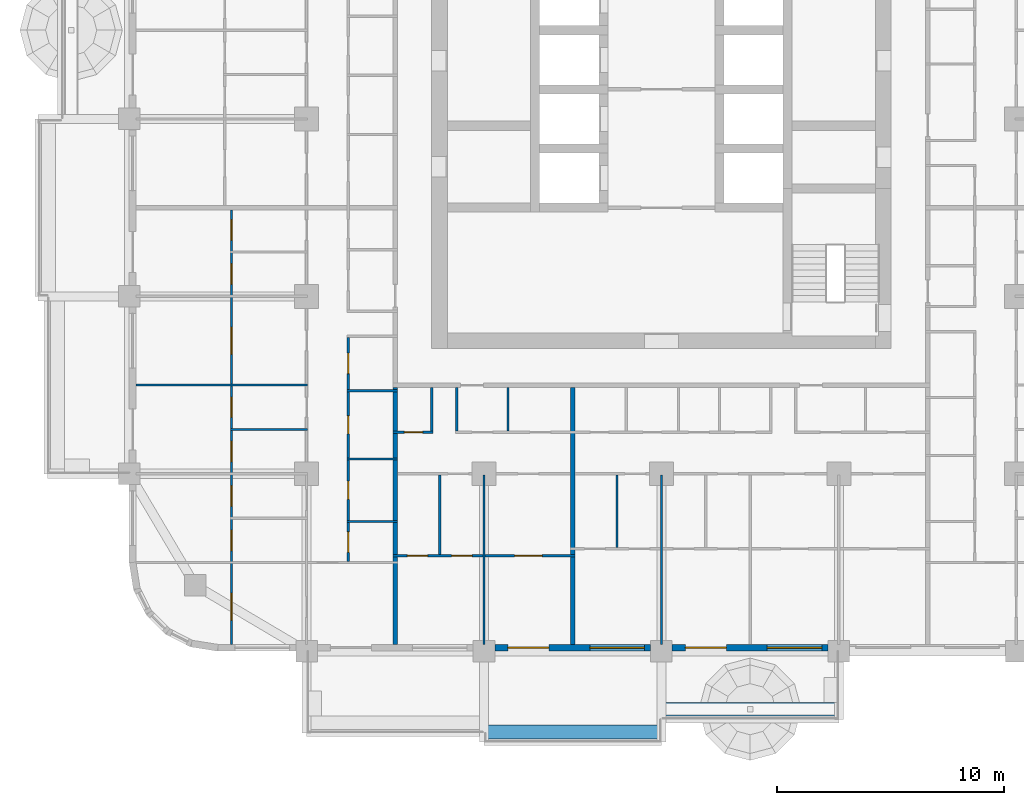
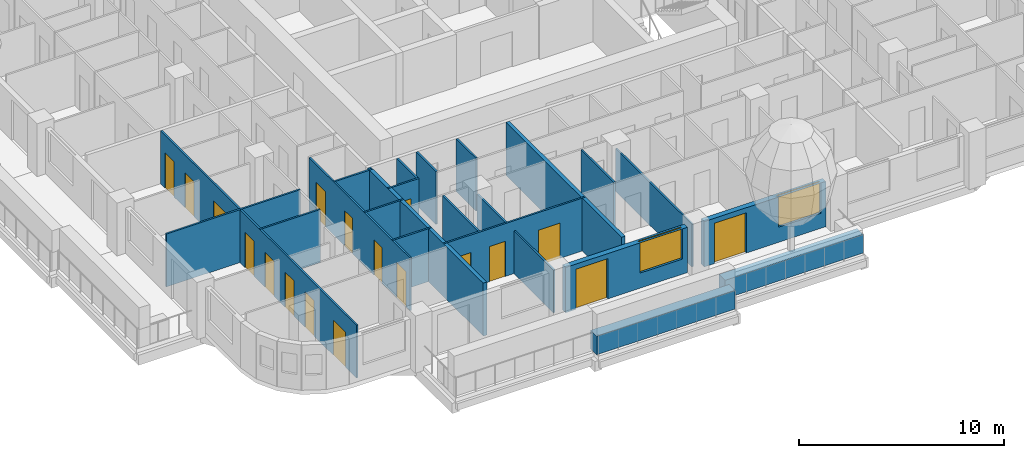
# One storey, part 3 of 18: 22 walls, 18 doors, 2 windows, 20 openings.
"""IFC4 building model written with IfcOpenShell, lengths in metres."""

import ifcopenshell
import ifcopenshell.guid

model = None  # the IFC model being written
_history = None  # IfcOwnerHistory: only IFC2X3 demands one
_inside = {}  # id of a spatial element -> (the spatial element, [elements in it])
_under = {}  # id of a project, library or spatial element -> (it, [spatial elements below it])
_declared = {}  # id of a project -> (the project, [libraries it declares])
_typed = {}  # id of a type object -> (the type object, [elements of that type])
_made_of = {}  # id of a material, layer set ... -> (it, [elements and type objects made of it])


def new_model(schema):
    """Start an empty IFC model of exactly this schema.

    Asked for "IFC4X3", IfcOpenShell would pick the latest addendum, in which some entities
    have other attributes; the version numbers below select the first issue.
    IFC2X3 requires an IfcOwnerHistory on every rooted entity: one is made here for all.
    """
    global model, _history
    if schema == "IFC4X3":
        model = ifcopenshell.file(schema_version=(4, 3, 0, 0))
    else:
        model = ifcopenshell.file(schema=schema)
    _inside.clear()
    _under.clear()
    _declared.clear()
    _typed.clear()
    _made_of.clear()
    _history = None
    if model.schema == "IFC2X3":
        org = make("IfcOrganization", Name="unknown")
        user = make(
            "IfcPersonAndOrganization",
            ThePerson=make("IfcPerson", FamilyName="unknown"),
            TheOrganization=org,
        )
        app = make(
            "IfcApplication",
            ApplicationDeveloper=org,
            Version="unknown",
            ApplicationFullName="unknown",
            ApplicationIdentifier="unknown",
        )
        _history = make(
            "IfcOwnerHistory",
            OwningUser=user,
            OwningApplication=app,
            ChangeAction="ADDED",
            CreationDate=0,
        )
    return model


def make(cls, **values):
    """One entity of the class cls with the attributes given. An attribute that is None is left unset."""
    return model.create_entity(
        cls, **{name: value for name, value in values.items() if value is not None}
    )


def rooted(cls, **values):
    """An entity with a GlobalId (a new one), such as an element, a storey or a relation."""
    return make(cls, GlobalId=ifcopenshell.guid.new(), OwnerHistory=_history, **values)


def si_unit(unit_type, name, prefix=None):
    """IfcSIUnit, for example si_unit("LENGTHUNIT", "METRE", prefix="MILLI")."""
    return make("IfcSIUnit", UnitType=unit_type, Prefix=prefix, Name=name)


def assignment(units):
    """IfcUnitAssignment: the units of a project."""
    return None if units is None else make("IfcUnitAssignment", Units=units)


def point(xyz):
    """IfcCartesianPoint."""
    return None if xyz is None else make("IfcCartesianPoint", Coordinates=xyz)


def direction(xyz):
    """IfcDirection."""
    return None if xyz is None else make("IfcDirection", DirectionRatios=xyz)


def frame(location, z_axis=None, x_axis=None):
    """IfcAxis2Placement3D, a coordinate frame: its origin and axes. An axis left out is left unset."""
    return make(
        "IfcAxis2Placement3D",
        Location=point(location),
        Axis=direction(z_axis),
        RefDirection=direction(x_axis),
    )


def frame_2d(location, x_axis=None):
    """IfcAxis2Placement2D, a coordinate frame in the plane: its origin and x axis."""
    return make(
        "IfcAxis2Placement2D", Location=point(location), RefDirection=direction(x_axis)
    )


def origin():
    """The frame at (0, 0, 0) with its axes left unset."""
    return frame((0.0, 0.0, 0.0))


def place(relative_to, where):
    """IfcLocalPlacement: puts the frame where relative to a parent placement (None: the world)."""
    return make(
        "IfcLocalPlacement", PlacementRelTo=relative_to, RelativePlacement=where
    )


def context(
    kind, dimensions, precision=None, world=None, true_north=None, identifier=None
):
    """IfcGeometricRepresentationContext, for example the 3D "Model" context."""
    return make(
        "IfcGeometricRepresentationContext",
        ContextIdentifier=identifier,
        ContextType=kind,
        CoordinateSpaceDimension=dimensions,
        Precision=precision,
        WorldCoordinateSystem=world,
        TrueNorth=true_north,
    )


def subcontext(parent, identifier, kind, view, scale=None):
    """IfcGeometricRepresentationSubContext, for example "Body" below "Model"."""
    return make(
        "IfcGeometricRepresentationSubContext",
        ContextIdentifier=identifier,
        ContextType=kind,
        ParentContext=parent,
        TargetScale=scale,
        TargetView=view,
    )


def project(units=None, contexts=None):
    """IfcProject with its units and contexts."""
    return rooted(
        "IfcProject",
        Name="project",
        RepresentationContexts=contexts,
        UnitsInContext=assignment(units),
    )


def spatial(cls, under=None, at=None, **own):
    """A site, building, storey or space (cls), placed at a placement, below another one or the project."""
    s = rooted(cls, ObjectPlacement=at, **own)
    if under is not None:
        _under.setdefault(under.id(), (under, []))[1].append(s)
    return s


def profile(cls, at=None, kind="AREA", **sizes):
    """A parametric profile (cls). Its sizes go by their IFC names, for example OverallWidth=200.0."""
    return make(cls, ProfileType=kind, Position=at, **sizes)


def rectangle(**sizes):
    """IfcRectangleProfileDef."""
    return profile("IfcRectangleProfileDef", **sizes)


def extrude(swept, where, along, depth):
    """IfcExtrudedAreaSolid: the profile swept, set in the frame where, extruded along a direction by depth."""
    return make(
        "IfcExtrudedAreaSolid",
        SweptArea=swept,
        Position=where,
        ExtrudedDirection=direction(along),
        Depth=depth,
    )


def shape(context_of_items, identifier, shape_type, items):
    """IfcShapeRepresentation: the items that make up one representation, for example the "Body"."""
    return make(
        "IfcShapeRepresentation",
        ContextOfItems=context_of_items,
        RepresentationIdentifier=identifier,
        RepresentationType=shape_type,
        Items=items,
    )


def material(Name=None, Category=None):
    """IfcMaterial."""
    return make("IfcMaterial", Name=Name, Category=Category)


def layer(
    of_material, thickness, ventilated=None, Name=None, Category=None, Priority=None
):
    """IfcMaterialLayer: one layer of a wall or slab, of a material (None: an air gap)."""
    return make(
        "IfcMaterialLayer",
        Material=of_material,
        LayerThickness=thickness,
        IsVentilated=ventilated,
        Name=Name,
        Category=Category,
        Priority=Priority,
    )


def layer_set(layers, Name=None):
    """IfcMaterialLayerSet."""
    return make("IfcMaterialLayerSet", MaterialLayers=layers, LayerSetName=Name)


def made_of(thing, what):
    """Note that an element or type object is made of a material, layer set ...; save() writes the relation."""
    if what is not None:
        _made_of.setdefault(what.id(), (what, []))[1].append(thing)
    return thing


def type_object(cls, material=None, **own):
    """A type object (cls), such as IfcWallType, which elements share."""
    return made_of(rooted(cls, **own), material)


def element(
    cls,
    number,
    at=None,
    inside=None,
    cuts=None,
    type_object=None,
    material=None,
    context=None,
    identifier="Body",
    shape_type=None,
    held_by="IfcProductDefinitionShape",
    body=None,
    shapes=None,
    **own,
):
    """One element of the class cls, such as IfcWall. Its Tag is "e" and its number.

    at: its placement. inside: the storey or other place that contains it. cuts: it is an
    opening in that element (IfcRelVoidsElement). A single representation is given by context,
    identifier, shape_type and body (its items); several are given by shapes. held_by: the class
    of the entity that holds the representations. save() writes the other relations.
    """
    e = rooted(cls, Tag="e%d" % number, ObjectPlacement=at, **own)
    if body is not None:
        shapes = [shape(context, identifier, shape_type, body)]
    if shapes is not None:
        e.Representation = make(held_by, Representations=shapes)
    if inside is not None:
        _inside.setdefault(inside.id(), (inside, []))[1].append(e)
    if cuts is not None:
        rooted(
            "IfcRelVoidsElement", RelatingBuildingElement=cuts, RelatedOpeningElement=e
        )
    if type_object is not None:
        _typed.setdefault(type_object.id(), (type_object, []))[1].append(e)
    return made_of(e, material)


def fill(opening, filler):
    """IfcRelFillsElement: the door or window that sits in an opening."""
    return rooted(
        "IfcRelFillsElement",
        RelatingOpeningElement=opening,
        RelatedBuildingElement=filler,
    )


def aggregate(whole, parts):
    """IfcRelAggregates: a whole, such as a stair, and the parts it consists of."""
    return rooted("IfcRelAggregates", RelatingObject=whole, RelatedObjects=parts)


def save(model, path):
    """Write the relations noted so far, then the file.

    IfcRelAggregates (storeys below a building ...), IfcRelContainedInSpatialStructure (elements
    in a storey), IfcRelDefinesByType, IfcRelAssociatesMaterial and IfcRelDeclares: one each for
    every whole, place, type object, material and project.
    """
    for whole, parts in _under.values():
        aggregate(whole, parts)
    for where, things in _inside.values():
        rooted(
            "IfcRelContainedInSpatialStructure",
            RelatedElements=things,
            RelatingStructure=where,
        )
    for kind, things in _typed.values():
        rooted("IfcRelDefinesByType", RelatedObjects=things, RelatingType=kind)
    for what, things in _made_of.values():
        rooted("IfcRelAssociatesMaterial", RelatedObjects=things, RelatingMaterial=what)
    for by, libraries in _declared.values():
        rooted("IfcRelDeclares", RelatingContext=by, RelatedDefinitions=libraries)
    model.write(path)


model = new_model("IFC4")

# Units and contexts
model_context = context("Model", 3, precision=1e-05, world=origin(), true_north=direction((0.0, 1.0)))
body_context = subcontext(model_context, "Body", "Model", "MODEL_VIEW")
ifc_project = project(units=[si_unit("LENGTHUNIT", "METRE"), si_unit("AREAUNIT", "SQUARE_METRE"), si_unit("VOLUMEUNIT", "CUBIC_METRE"), si_unit("PLANEANGLEUNIT", "RADIAN"), si_unit("MASSUNIT", "GRAM", prefix="KILO")], contexts=[model_context])

# Site, building, storey
site_placement = place(None, origin())
site = spatial("IfcSite", under=ifc_project, at=site_placement, CompositionType="ELEMENT")
building_placement = place(site_placement, origin())
building = spatial("IfcBuilding", under=site, at=building_placement, Name="Ludao Terraces", CompositionType="ELEMENT")
storey_placement = place(building_placement, frame((0.0, 0.0, 58.0)))
storey = spatial("IfcBuildingStorey", under=building, at=storey_placement, Name="L15", CompositionType="ELEMENT", Elevation=58.0)

# Walls
ifc_material_1 = material(Name="Concrete C40", Category="concrete")
ifc_layer_1 = layer(ifc_material_1, 0.60009765625)
ifc_layer_set_1 = layer_set([ifc_layer_1], Name="ENV Planter trough 600")
wall_type_1 = type_object("IfcWallType", Name="ENV Planter trough 600", PredefinedType="USERDEFINED", material=ifc_layer_set_1)
for number, where, z_axis, x_axis, name in (
    (1, (77.199951171875, 38.050048828125, 0.0), (0.0, 0.0, 1.0), (1.0, 0.0, 0.0), "PL-L15-S2"),
    (2, (85.0, 39.050048828125, 0.0), (0.0, 0.0, 1.0), (1.0, 0.0, 0.0), "PL-L15-S3"),
):
    element("IfcWall", number, at=place(storey_placement, frame(where, z_axis=z_axis, x_axis=x_axis)), inside=storey, type_object=wall_type_1, Name=name, ObjectType="PLANTER", PredefinedType="USERDEFINED", context=body_context, shape_type="SweptSolid", body=[
        extrude(rectangle(XDim=7.800048828125, YDim=0.60009765625, at=frame_2d((3.89990234375, 0.0))), origin(), (0.0, 0.0, 1.0), 1.10009765625),
    ])

# Wall, openings, door, window
ifc_material_2 = material(Name="Granite cladding", Category="masonry")
ifc_layer_2 = layer(ifc_material_2, 0.0400390625, Category="stone")
ifc_material_3 = material(Name="Mineral wool")
ifc_layer_3 = layer(ifc_material_3, 0.06005859375)
ifc_layer_4 = layer(ifc_material_1, 0.199951171875, Category="concrete")
ifc_layer_set_2 = layer_set([ifc_layer_2, ifc_layer_3, ifc_layer_4], Name="ENV Stone-clad wall 300")
wall_type_2 = type_object("IfcWallType", Name="ENV Stone-clad wall 300", PredefinedType="SOLIDWALL", material=ifc_layer_set_2)
wall_1_placement = place(storey_placement, frame((77.675048828125, 41.75, 0.0), z_axis=(0.0, 0.0, 1.0), x_axis=(1.0, 0.0, 0.0)))
wall_1 = element("IfcWall", 3, at=wall_1_placement, inside=storey, type_object=wall_type_2, Name="EW-L15-S3", PredefinedType="SOLIDWALL", context=body_context, shape_type="SweptSolid", body=[
    extrude(rectangle(XDim=6.849853515625, YDim=0.300048828125, at=frame_2d((3.4248046875, 0.0))), origin(), (0.0, 0.0, 1.0), 2.699951171875),
])
opening_1_placement = place(wall_1_placement, frame((0.574951171875, 0.0, 0.0)))
opening_1 = element("IfcOpeningElement", 4, at=opening_1_placement, cuts=wall_1, Name="Opening BD", PredefinedType="OPENING", context=body_context, shape_type="SweptSolid", body=[
    extrude(rectangle(XDim=1.800048828125, YDim=2.39990234375, at=frame_2d((0.89990234375, 1.199951171875))), frame((0.0, 0.16015625, 0.0), z_axis=(0.0, -1.0, 0.0), x_axis=(1.0, 0.0, 0.0)), (0.0, 0.0, 1.0), 0.320068359375),
])
opening_2_placement = place(wall_1_placement, frame((4.175048828125, 0.0, 0.89990234375)))
opening_2 = element("IfcOpeningElement", 5, at=opening_2_placement, cuts=wall_1, Name="Opening W1", PredefinedType="OPENING", context=body_context, shape_type="SweptSolid", body=[
    extrude(rectangle(XDim=2.39990234375, YDim=1.800048828125, at=frame_2d((1.199951171875, 0.89990234375))), frame((0.0, 0.16015625, 0.0), z_axis=(0.0, -1.0, 0.0), x_axis=(1.0, 0.0, 0.0)), (0.0, 0.0, 1.0), 0.320068359375),
])
ifc_material_4 = material(Name="Aluminium glazed door", Category="aluminium")
ifc_layer_5 = layer(ifc_material_4, 0.06005859375)
ifc_layer_set_3 = layer_set([ifc_layer_5], Name="ENV Balcony door BD 1800x2400")
door_type_1 = type_object("IfcDoorType", Name="ENV Balcony door BD 1800x2400", OperationType="DOUBLE_DOOR_SINGLE_SWING", PredefinedType="DOOR", material=ifc_layer_set_3)
door_1_placement = place(opening_1_placement, origin())
door_1 = element("IfcDoor", 6, at=door_1_placement, inside=storey, type_object=door_type_1, Name="BD-L15-S3-1", OperationType="DOUBLE_DOOR_SINGLE_SWING", OverallHeight=2.39990234375, OverallWidth=1.800048828125, PredefinedType="DOOR", context=body_context, shape_type="SweptSolid", body=[
    extrude(rectangle(XDim=1.800048828125, YDim=2.39990234375, at=frame_2d((0.89990234375, 1.199951171875))), frame((0.0, 0.02490234375, 0.0), z_axis=(0.0, -1.0, 0.0), x_axis=(1.0, 0.0, 0.0)), (0.0, 0.0, 1.0), 0.050048828125),
])
fill(opening_1, door_1)
ifc_material_5 = material(Name="Clear glass in aluminium frame", Category="aluminium")
ifc_layer_6 = layer(ifc_material_5, 0.06005859375)
ifc_layer_set_4 = layer_set([ifc_layer_6], Name="ENV Window W1 2400x1800")
window_type = type_object("IfcWindowType", Name="ENV Window W1 2400x1800", PartitioningType="DOUBLE_PANEL_VERTICAL", PredefinedType="WINDOW", material=ifc_layer_set_4)
window_1_placement = place(opening_2_placement, origin())
window_1 = element("IfcWindow", 7, at=window_1_placement, inside=storey, type_object=window_type, Name="W-L15-S3-2", OverallHeight=1.800048828125, OverallWidth=2.39990234375, PartitioningType="DOUBLE_PANEL_VERTICAL", PredefinedType="WINDOW", context=body_context, shape_type="SweptSolid", body=[
    extrude(rectangle(XDim=2.39990234375, YDim=1.800048828125, at=frame_2d((1.199951171875, 0.89990234375))), frame((0.0, 0.030029296875, 0.0), z_axis=(0.0, -1.0, 0.0), x_axis=(1.0, 0.0, 0.0)), (0.0, 0.0, 1.0), 0.06005859375),
])
fill(opening_2, window_1)

wall_2_placement = place(storey_placement, frame((85.47509765625, 41.75, 0.0), z_axis=(0.0, 0.0, 1.0), x_axis=(1.0, 0.0, 0.0)))
wall_2 = element("IfcWall", 8, at=wall_2_placement, inside=storey, type_object=wall_type_2, Name="EW-L15-S4", PredefinedType="SOLIDWALL", context=body_context, shape_type="SweptSolid", body=[
    extrude(rectangle(XDim=6.849853515625, YDim=0.300048828125, at=frame_2d((3.4248046875, 0.0))), origin(), (0.0, 0.0, 1.0), 2.699951171875),
])
opening_3_placement = place(wall_2_placement, frame((0.574951171875, 0.0, 0.0)))
opening_3 = element("IfcOpeningElement", 9, at=opening_3_placement, cuts=wall_2, Name="Opening BD", PredefinedType="OPENING", context=body_context, shape_type="SweptSolid", body=[
    extrude(rectangle(XDim=1.800048828125, YDim=2.39990234375, at=frame_2d((0.89990234375, 1.199951171875))), frame((0.0, 0.16015625, 0.0), z_axis=(0.0, -1.0, 0.0), x_axis=(1.0, 0.0, 0.0)), (0.0, 0.0, 1.0), 0.320068359375),
])
opening_4_placement = place(wall_2_placement, frame((4.175048828125, 0.0, 0.89990234375)))
opening_4 = element("IfcOpeningElement", 10, at=opening_4_placement, cuts=wall_2, Name="Opening W1", PredefinedType="OPENING", context=body_context, shape_type="SweptSolid", body=[
    extrude(rectangle(XDim=2.39990234375, YDim=1.800048828125, at=frame_2d((1.199951171875, 0.89990234375))), frame((0.0, 0.16015625, 0.0), z_axis=(0.0, -1.0, 0.0), x_axis=(1.0, 0.0, 0.0)), (0.0, 0.0, 1.0), 0.320068359375),
])
door_2_placement = place(opening_3_placement, origin())
door_2 = element("IfcDoor", 11, at=door_2_placement, inside=storey, type_object=door_type_1, Name="BD-L15-S4-1", OperationType="DOUBLE_DOOR_SINGLE_SWING", OverallHeight=2.39990234375, OverallWidth=1.800048828125, PredefinedType="DOOR", context=body_context, shape_type="SweptSolid", body=[
    extrude(rectangle(XDim=1.800048828125, YDim=2.39990234375, at=frame_2d((0.89990234375, 1.199951171875))), frame((0.0, 0.02490234375, 0.0), z_axis=(0.0, -1.0, 0.0), x_axis=(1.0, 0.0, 0.0)), (0.0, 0.0, 1.0), 0.050048828125),
])
fill(opening_3, door_2)
window_2_placement = place(opening_4_placement, origin())
window_2 = element("IfcWindow", 12, at=window_2_placement, inside=storey, type_object=window_type, Name="W-L15-S4-2", OverallHeight=1.800048828125, OverallWidth=2.39990234375, PartitioningType="DOUBLE_PANEL_VERTICAL", PredefinedType="WINDOW", context=body_context, shape_type="SweptSolid", body=[
    extrude(rectangle(XDim=2.39990234375, YDim=1.800048828125, at=frame_2d((1.199951171875, 0.89990234375))), frame((0.0, 0.030029296875, 0.0), z_axis=(0.0, -1.0, 0.0), x_axis=(1.0, 0.0, 0.0)), (0.0, 0.0, 1.0), 0.06005859375),
])
fill(opening_4, window_2)

# Wall, openings, doors
ifc_material_6 = material(Name="Gypsum plasterboard", Category="gypsum")
ifc_layer_7 = layer(ifc_material_6, 0.012451171875, Category="gypsum")
ifc_layer_8 = layer(ifc_material_3, 0.06005859375, Name="insulation")
ifc_material_7 = material(Name="Steel Q235", Category="steel")
ifc_layer_9 = layer(ifc_material_7, 0.014892578125, Name="stud")
ifc_layer_10 = layer(ifc_material_6, 0.012451171875, Category="gypsum")
ifc_layer_set_5 = layer_set([ifc_layer_7, ifc_layer_8, ifc_layer_9, ifc_layer_10], Name="INT Partition 100")
wall_type_3 = type_object("IfcWallType", Name="INT Partition 100", PredefinedType="PARTITIONING", material=ifc_layer_set_5)
wall_3_placement = place(storey_placement, frame((73.2001953125, 45.800048828125, 0.0), z_axis=(0.0, 0.0, 1.0), x_axis=(1.0, 0.0, 0.0)))
wall_3 = element("IfcWall", 13, at=wall_3_placement, inside=storey, type_object=wall_type_3, Name="PW-L15-PW002", PredefinedType="PARTITIONING", context=body_context, shape_type="SweptSolid", body=[
    extrude(rectangle(XDim=8.0, YDim=0.10009765625, at=frame_2d((4.0, 0.0))), origin(), (0.0, 0.0, 1.0), 3.14990234375),
])
opening_5_placement = place(wall_3_placement, frame((0.625, 0.0, 0.0)))
opening_5 = element("IfcOpeningElement", 14, at=opening_5_placement, cuts=wall_3, Name="Opening R04-007", PredefinedType="OPENING", context=body_context, shape_type="SweptSolid", body=[
    extrude(rectangle(XDim=0.89990234375, YDim=2.10009765625, at=frame_2d((0.449951171875, 1.050048828125))), frame((0.0, 0.06005859375, 0.0), z_axis=(0.0, -1.0, 0.0), x_axis=(1.0, 0.0, 0.0)), (0.0, 0.0, 1.0), 0.1201171875),
])
opening_6_placement = place(wall_3_placement, frame((2.574951171875, 0.0, 0.0)))
opening_6 = element("IfcOpeningElement", 15, at=opening_6_placement, cuts=wall_3, Name="Opening R04-008", PredefinedType="OPENING", context=body_context, shape_type="SweptSolid", body=[
    extrude(rectangle(XDim=0.89990234375, YDim=2.10009765625, at=frame_2d((0.449951171875, 1.050048828125))), frame((0.0, 0.06005859375, 0.0), z_axis=(0.0, -1.0, 0.0), x_axis=(1.0, 0.0, 0.0)), (0.0, 0.0, 1.0), 0.1201171875),
])
opening_7_placement = place(wall_3_placement, frame((5.349853515625, 0.0, 0.0)))
opening_7 = element("IfcOpeningElement", 16, at=opening_7_placement, cuts=wall_3, Name="Opening R04-009", PredefinedType="OPENING", context=body_context, shape_type="SweptSolid", body=[
    extrude(rectangle(XDim=1.199951171875, YDim=2.10009765625, at=frame_2d((0.60009765625, 1.050048828125))), frame((0.0, 0.06005859375, 0.0), z_axis=(0.0, -1.0, 0.0), x_axis=(1.0, 0.0, 0.0)), (0.0, 0.0, 1.0), 0.1201171875),
])
ifc_material_8 = material(Name="Timber door leaf", Category="wood")
door_type_2 = type_object("IfcDoorType", Name="INT Bathroom door 900", OperationType="SINGLE_SWING_LEFT", PredefinedType="DOOR", material=ifc_material_8)
door_3_placement = place(opening_5_placement, origin())
door_3 = element("IfcDoor", 17, at=door_3_placement, inside=storey, type_object=door_type_2, Name="DOOR 007", OperationType="SINGLE_SWING_LEFT", OverallHeight=2.10009765625, OverallWidth=0.89990234375, PredefinedType="DOOR", context=body_context, shape_type="SweptSolid", body=[
    extrude(rectangle(XDim=0.89990234375, YDim=2.10009765625, at=frame_2d((0.449951171875, 1.050048828125))), frame((0.0, 0.02490234375, 0.0), z_axis=(0.0, -1.0, 0.0), x_axis=(1.0, 0.0, 0.0)), (0.0, 0.0, 1.0), 0.050048828125),
])
fill(opening_5, door_3)
door_type_3 = type_object("IfcDoorType", Name="INT Double door 1200", OperationType="DOUBLE_DOOR_SINGLE_SWING", PredefinedType="DOOR", material=ifc_material_8)
door_4_placement = place(opening_7_placement, origin())
door_4 = element("IfcDoor", 18, at=door_4_placement, inside=storey, type_object=door_type_3, Name="DOOR 009", OperationType="DOUBLE_DOOR_SINGLE_SWING", OverallHeight=2.10009765625, OverallWidth=1.199951171875, PredefinedType="DOOR", context=body_context, shape_type="SweptSolid", body=[
    extrude(rectangle(XDim=1.199951171875, YDim=2.10009765625, at=frame_2d((0.60009765625, 1.050048828125))), frame((0.0, 0.02490234375, 0.0), z_axis=(0.0, -1.0, 0.0), x_axis=(1.0, 0.0, 0.0)), (0.0, 0.0, 1.0), 0.050048828125),
])
fill(opening_7, door_4)
door_type_4 = type_object("IfcDoorType", Name="INT Room door 900", OperationType="SINGLE_SWING_LEFT", PredefinedType="DOOR", material=ifc_material_8)
door_5_placement = place(opening_6_placement, origin())
door_5 = element("IfcDoor", 19, at=door_5_placement, inside=storey, type_object=door_type_4, Name="DOOR 008", OperationType="SINGLE_SWING_RIGHT", OverallHeight=2.10009765625, OverallWidth=0.89990234375, PredefinedType="DOOR", context=body_context, shape_type="SweptSolid", body=[
    extrude(rectangle(XDim=0.89990234375, YDim=2.10009765625, at=frame_2d((0.449951171875, 1.050048828125))), frame((0.0, 0.02490234375, 0.0), z_axis=(0.0, -1.0, 0.0), x_axis=(1.0, 0.0, 0.0)), (0.0, 0.0, 1.0), 0.050048828125),
])
fill(opening_6, door_5)

# Walls
for number, where, z_axis, x_axis, name in (
    (20, (71.18017578125, 47.300048828125, 0.0), (0.0, 0.0, 1.0), (1.0, 0.0, 0.0), "PW-L15-PW004"),
    (21, (71.18017578125, 50.050048828125, 0.0), (0.0, 0.0, 1.0), (1.0, 0.0, 0.0), "PW-L15-PW011"),
):
    element("IfcWall", number, at=place(storey_placement, frame(where, z_axis=z_axis, x_axis=x_axis)), inside=storey, type_object=wall_type_3, Name=name, PredefinedType="PARTITIONING", context=body_context, shape_type="SweptSolid", body=[
        extrude(rectangle(XDim=2.219970703125, YDim=0.10009765625, at=frame_2d((1.10986328125, 0.0))), origin(), (0.0, 0.0, 1.0), 3.14990234375),
    ])

# Wall, opening, door
wall_4_placement = place(storey_placement, frame((73.2001953125, 51.22998046875, 0.0), z_axis=(0.0, 0.0, 1.0), x_axis=(1.0, 0.0, 0.0)))
wall_4 = element("IfcWall", 22, at=wall_4_placement, inside=storey, type_object=wall_type_3, Name="PW-L15-PW013", PredefinedType="PARTITIONING", context=body_context, shape_type="SweptSolid", body=[
    extrude(rectangle(XDim=1.75, YDim=0.10009765625, at=frame_2d((0.875, 0.0))), origin(), (0.0, 0.0, 1.0), 3.14990234375),
])
opening_8_placement = place(wall_4_placement, frame((0.5, 0.0, 0.0)))
opening_8 = element("IfcOpeningElement", 23, at=opening_8_placement, cuts=wall_4, Name="Opening R04-034", PredefinedType="OPENING", context=body_context, shape_type="SweptSolid", body=[
    extrude(rectangle(XDim=0.800048828125, YDim=2.10009765625, at=frame_2d((0.39990234375, 1.050048828125))), frame((0.0, 0.06005859375, 0.0), z_axis=(0.0, -1.0, 0.0), x_axis=(1.0, 0.0, 0.0)), (0.0, 0.0, 1.0), 0.1201171875),
])
door_type_5 = type_object("IfcDoorType", Name="INT Store door 800", OperationType="SINGLE_SWING_LEFT", PredefinedType="DOOR", material=ifc_material_8)
door_6_placement = place(opening_8_placement, origin())
door_6 = element("IfcDoor", 24, at=door_6_placement, inside=storey, type_object=door_type_5, Name="DOOR 034", OperationType="SINGLE_SWING_LEFT", OverallHeight=2.10009765625, OverallWidth=0.800048828125, PredefinedType="DOOR", context=body_context, shape_type="SweptSolid", body=[
    extrude(rectangle(XDim=0.800048828125, YDim=2.10009765625, at=frame_2d((0.39990234375, 1.050048828125))), frame((0.0, 0.02490234375, 0.0), z_axis=(0.0, -1.0, 0.0), x_axis=(1.0, 0.0, 0.0)), (0.0, 0.0, 1.0), 0.050048828125),
])
fill(opening_8, door_6)

# Walls
wall_5_placement = place(storey_placement, frame((66.050048828125, 51.35009765625, 0.0), z_axis=(0.0, 0.0, 1.0), x_axis=(1.0, 0.0, 0.0)))
element("IfcWall", 25, at=wall_5_placement, inside=storey, type_object=wall_type_3, Name="PW-L15-PW016", PredefinedType="PARTITIONING", context=body_context, shape_type="SweptSolid", body=[
    extrude(rectangle(XDim=3.400146484375, YDim=0.10009765625, at=frame_2d((1.7001953125, 0.0))), origin(), (0.0, 0.0, 1.0), 3.14990234375),
])
wall_6_placement = place(storey_placement, frame((71.18017578125, 53.050048828125, 0.0), z_axis=(0.0, 0.0, 1.0), x_axis=(1.0, 0.0, 0.0)))
element("IfcWall", 26, at=wall_6_placement, inside=storey, type_object=wall_type_3, Name="PW-L15-PW019", PredefinedType="PARTITIONING", context=body_context, shape_type="SweptSolid", body=[
    extrude(rectangle(XDim=2.219970703125, YDim=0.10009765625, at=frame_2d((1.10986328125, 0.0))), origin(), (0.0, 0.0, 1.0), 3.14990234375),
])
wall_7_placement = place(storey_placement, frame((61.900146484375, 53.300048828125, 0.0), z_axis=(0.0, 0.0, 1.0), x_axis=(1.0, 0.0, 0.0)))
element("IfcWall", 27, at=wall_7_placement, inside=storey, type_object=wall_type_3, Name="PW-L15-PW020", PredefinedType="PARTITIONING", context=body_context, shape_type="SweptSolid", body=[
    extrude(rectangle(XDim=7.550048828125, YDim=0.10009765625, at=frame_2d((3.77490234375, 0.0))), origin(), (0.0, 0.0, 1.0), 3.14990234375),
])

# Wall, openings, doors
wall_8_placement = place(storey_placement, frame((66.10009765625, 41.900146484375, 0.0), z_axis=(0.0, 0.0, 1.0), x_axis=(0.0, 1.0, 0.0)))
wall_8 = element("IfcWall", 28, at=wall_8_placement, inside=storey, type_object=wall_type_3, Name="PW-L15-PW082", PredefinedType="PARTITIONING", context=body_context, shape_type="SweptSolid", body=[
    extrude(rectangle(XDim=19.099853515625, YDim=0.10009765625, at=frame_2d((9.5498046875, 0.0))), origin(), (0.0, 0.0, 1.0), 3.14990234375),
])
opening_9_placement = place(wall_8_placement, frame((1.050048828125, 0.0, 0.0)))
opening_9 = element("IfcOpeningElement", 29, at=opening_9_placement, cuts=wall_8, Name="Opening R04-001", PredefinedType="OPENING", context=body_context, shape_type="SweptSolid", body=[
    extrude(rectangle(XDim=1.199951171875, YDim=2.10009765625, at=frame_2d((0.60009765625, 1.050048828125))), frame((0.0, 0.06005859375, 0.0), z_axis=(0.0, -1.0, 0.0), x_axis=(1.0, 0.0, 0.0)), (0.0, 0.0, 1.0), 0.1201171875),
])
opening_10_placement = place(wall_8_placement, frame((4.125, 0.0, 0.0)))
opening_10 = element("IfcOpeningElement", 30, at=opening_10_placement, cuts=wall_8, Name="Opening R04-018", PredefinedType="OPENING", context=body_context, shape_type="SweptSolid", body=[
    extrude(rectangle(XDim=0.89990234375, YDim=2.10009765625, at=frame_2d((0.449951171875, 1.050048828125))), frame((0.0, 0.06005859375, 0.0), z_axis=(0.0, -1.0, 0.0), x_axis=(1.0, 0.0, 0.0)), (0.0, 0.0, 1.0), 0.1201171875),
])
opening_11_placement = place(wall_8_placement, frame((6.074951171875, 0.0, 0.0)))
opening_11 = element("IfcOpeningElement", 31, at=opening_11_placement, cuts=wall_8, Name="Opening R04-022", PredefinedType="OPENING", context=body_context, shape_type="SweptSolid", body=[
    extrude(rectangle(XDim=0.89990234375, YDim=2.10009765625, at=frame_2d((0.449951171875, 1.050048828125))), frame((0.0, 0.06005859375, 0.0), z_axis=(0.0, -1.0, 0.0), x_axis=(1.0, 0.0, 0.0)), (0.0, 0.0, 1.0), 0.1201171875),
])
opening_12_placement = place(wall_8_placement, frame((8.02490234375, 0.0, 0.0)))
opening_12 = element("IfcOpeningElement", 32, at=opening_12_placement, cuts=wall_8, Name="Opening R04-032", PredefinedType="OPENING", context=body_context, shape_type="SweptSolid", body=[
    extrude(rectangle(XDim=0.89990234375, YDim=2.10009765625, at=frame_2d((0.449951171875, 1.050048828125))), frame((0.0, 0.06005859375, 0.0), z_axis=(0.0, -1.0, 0.0), x_axis=(1.0, 0.0, 0.0)), (0.0, 0.0, 1.0), 0.1201171875),
])
opening_13_placement = place(wall_8_placement, frame((9.97509765625, 0.0, 0.0)))
opening_13 = element("IfcOpeningElement", 33, at=opening_13_placement, cuts=wall_8, Name="Opening R04-045", PredefinedType="OPENING", context=body_context, shape_type="SweptSolid", body=[
    extrude(rectangle(XDim=0.89990234375, YDim=2.10009765625, at=frame_2d((0.449951171875, 1.050048828125))), frame((0.0, 0.06005859375, 0.0), z_axis=(0.0, -1.0, 0.0), x_axis=(1.0, 0.0, 0.0)), (0.0, 0.0, 1.0), 0.1201171875),
])
opening_14_placement = place(wall_8_placement, frame((12.75, 0.0, 0.0)))
opening_14 = element("IfcOpeningElement", 34, at=opening_14_placement, cuts=wall_8, Name="Opening R04-053", PredefinedType="OPENING", context=body_context, shape_type="SweptSolid", body=[
    extrude(rectangle(XDim=1.199951171875, YDim=2.10009765625, at=frame_2d((0.60009765625, 1.050048828125))), frame((0.0, 0.06005859375, 0.0), z_axis=(0.0, -1.0, 0.0), x_axis=(1.0, 0.0, 0.0)), (0.0, 0.0, 1.0), 0.1201171875),
])
opening_15_placement = place(wall_8_placement, frame((15.824951171875, 0.0, 0.0)))
opening_15 = element("IfcOpeningElement", 35, at=opening_15_placement, cuts=wall_8, Name="Opening R04-064", PredefinedType="OPENING", context=body_context, shape_type="SweptSolid", body=[
    extrude(rectangle(XDim=0.89990234375, YDim=2.10009765625, at=frame_2d((0.449951171875, 1.050048828125))), frame((0.0, 0.06005859375, 0.0), z_axis=(0.0, -1.0, 0.0), x_axis=(1.0, 0.0, 0.0)), (0.0, 0.0, 1.0), 0.1201171875),
])
opening_16_placement = place(wall_8_placement, frame((17.77490234375, 0.0, 0.0)))
opening_16 = element("IfcOpeningElement", 36, at=opening_16_placement, cuts=wall_8, Name="Opening R04-067", PredefinedType="OPENING", context=body_context, shape_type="SweptSolid", body=[
    extrude(rectangle(XDim=0.89990234375, YDim=2.10009765625, at=frame_2d((0.449951171875, 1.050048828125))), frame((0.0, 0.06005859375, 0.0), z_axis=(0.0, -1.0, 0.0), x_axis=(1.0, 0.0, 0.0)), (0.0, 0.0, 1.0), 0.1201171875),
])
door_7_placement = place(opening_10_placement, origin())
door_7 = element("IfcDoor", 37, at=door_7_placement, inside=storey, type_object=door_type_2, Name="DOOR 018", OperationType="SINGLE_SWING_RIGHT", OverallHeight=2.10009765625, OverallWidth=0.89990234375, PredefinedType="DOOR", context=body_context, shape_type="SweptSolid", body=[
    extrude(rectangle(XDim=0.89990234375, YDim=2.10009765625, at=frame_2d((0.449951171875, 1.050048828125))), frame((0.0, 0.02490234375, 0.0), z_axis=(0.0, -1.0, 0.0), x_axis=(1.0, 0.0, 0.0)), (0.0, 0.0, 1.0), 0.050048828125),
])
fill(opening_10, door_7)
door_8_placement = place(opening_12_placement, origin())
door_8 = element("IfcDoor", 38, at=door_8_placement, inside=storey, type_object=door_type_2, Name="DOOR 032", OperationType="SINGLE_SWING_RIGHT", OverallHeight=2.10009765625, OverallWidth=0.89990234375, PredefinedType="DOOR", context=body_context, shape_type="SweptSolid", body=[
    extrude(rectangle(XDim=0.89990234375, YDim=2.10009765625, at=frame_2d((0.449951171875, 1.050048828125))), frame((0.0, 0.02490234375, 0.0), z_axis=(0.0, -1.0, 0.0), x_axis=(1.0, 0.0, 0.0)), (0.0, 0.0, 1.0), 0.050048828125),
])
fill(opening_12, door_8)
door_9_placement = place(opening_15_placement, origin())
door_9 = element("IfcDoor", 39, at=door_9_placement, inside=storey, type_object=door_type_2, Name="DOOR 064", OperationType="SINGLE_SWING_LEFT", OverallHeight=2.10009765625, OverallWidth=0.89990234375, PredefinedType="DOOR", context=body_context, shape_type="SweptSolid", body=[
    extrude(rectangle(XDim=0.89990234375, YDim=2.10009765625, at=frame_2d((0.449951171875, 1.050048828125))), frame((0.0, 0.02490234375, 0.0), z_axis=(0.0, -1.0, 0.0), x_axis=(1.0, 0.0, 0.0)), (0.0, 0.0, 1.0), 0.050048828125),
])
fill(opening_15, door_9)
door_10_placement = place(opening_9_placement, origin())
door_10 = element("IfcDoor", 40, at=door_10_placement, inside=storey, type_object=door_type_3, Name="DOOR 001", OperationType="DOUBLE_DOOR_SINGLE_SWING", OverallHeight=2.10009765625, OverallWidth=1.199951171875, PredefinedType="DOOR", context=body_context, shape_type="SweptSolid", body=[
    extrude(rectangle(XDim=1.199951171875, YDim=2.10009765625, at=frame_2d((0.60009765625, 1.050048828125))), frame((0.0, 0.02490234375, 0.0), z_axis=(0.0, -1.0, 0.0), x_axis=(1.0, 0.0, 0.0)), (0.0, 0.0, 1.0), 0.050048828125),
])
fill(opening_9, door_10)
door_11_placement = place(opening_14_placement, origin())
door_11 = element("IfcDoor", 41, at=door_11_placement, inside=storey, type_object=door_type_3, Name="DOOR 053", OperationType="DOUBLE_DOOR_SINGLE_SWING", OverallHeight=2.10009765625, OverallWidth=1.199951171875, PredefinedType="DOOR", context=body_context, shape_type="SweptSolid", body=[
    extrude(rectangle(XDim=1.199951171875, YDim=2.10009765625, at=frame_2d((0.60009765625, 1.050048828125))), frame((0.0, 0.02490234375, 0.0), z_axis=(0.0, -1.0, 0.0), x_axis=(1.0, 0.0, 0.0)), (0.0, 0.0, 1.0), 0.050048828125),
])
fill(opening_14, door_11)
door_12_placement = place(opening_11_placement, origin())
door_12 = element("IfcDoor", 42, at=door_12_placement, inside=storey, type_object=door_type_4, Name="DOOR 022", OperationType="SINGLE_SWING_LEFT", OverallHeight=2.10009765625, OverallWidth=0.89990234375, PredefinedType="DOOR", context=body_context, shape_type="SweptSolid", body=[
    extrude(rectangle(XDim=0.89990234375, YDim=2.10009765625, at=frame_2d((0.449951171875, 1.050048828125))), frame((0.0, 0.02490234375, 0.0), z_axis=(0.0, -1.0, 0.0), x_axis=(1.0, 0.0, 0.0)), (0.0, 0.0, 1.0), 0.050048828125),
])
fill(opening_11, door_12)
door_13_placement = place(opening_13_placement, origin())
door_13 = element("IfcDoor", 43, at=door_13_placement, inside=storey, type_object=door_type_4, Name="DOOR 045", OperationType="SINGLE_SWING_RIGHT", OverallHeight=2.10009765625, OverallWidth=0.89990234375, PredefinedType="DOOR", context=body_context, shape_type="SweptSolid", body=[
    extrude(rectangle(XDim=0.89990234375, YDim=2.10009765625, at=frame_2d((0.449951171875, 1.050048828125))), frame((0.0, 0.02490234375, 0.0), z_axis=(0.0, -1.0, 0.0), x_axis=(1.0, 0.0, 0.0)), (0.0, 0.0, 1.0), 0.050048828125),
])
fill(opening_13, door_13)
door_14_placement = place(opening_16_placement, origin())
door_14 = element("IfcDoor", 44, at=door_14_placement, inside=storey, type_object=door_type_4, Name="DOOR 067", OperationType="SINGLE_SWING_LEFT", OverallHeight=2.10009765625, OverallWidth=0.89990234375, PredefinedType="DOOR", context=body_context, shape_type="SweptSolid", body=[
    extrude(rectangle(XDim=0.89990234375, YDim=2.10009765625, at=frame_2d((0.449951171875, 1.050048828125))), frame((0.0, 0.02490234375, 0.0), z_axis=(0.0, -1.0, 0.0), x_axis=(1.0, 0.0, 0.0)), (0.0, 0.0, 1.0), 0.050048828125),
])
fill(opening_16, door_14)

wall_9_placement = place(storey_placement, frame((71.22998046875, 45.550048828125, 0.0), z_axis=(0.0, 0.0, 1.0), x_axis=(0.0, 1.0, 0.0)))
wall_9 = element("IfcWall", 45, at=wall_9_placement, inside=storey, type_object=wall_type_3, Name="PW-L15-PW084", PredefinedType="PARTITIONING", context=body_context, shape_type="SweptSolid", body=[
    extrude(rectangle(XDim=9.85009765625, YDim=0.10009765625, at=frame_2d((4.925048828125, 0.0))), origin(), (0.0, 0.0, 1.0), 3.14990234375),
])
opening_17_placement = place(wall_9_placement, frame((0.39990234375, 0.0, 0.0)))
opening_17 = element("IfcOpeningElement", 46, at=opening_17_placement, cuts=wall_9, Name="Opening R04-016", PredefinedType="OPENING", context=body_context, shape_type="SweptSolid", body=[
    extrude(rectangle(XDim=0.89990234375, YDim=2.10009765625, at=frame_2d((0.449951171875, 1.050048828125))), frame((0.0, 0.06005859375, 0.0), z_axis=(0.0, -1.0, 0.0), x_axis=(1.0, 0.0, 0.0)), (0.0, 0.0, 1.0), 0.1201171875),
])
opening_18_placement = place(wall_9_placement, frame((2.72509765625, 0.0, 0.0)))
opening_18 = element("IfcOpeningElement", 47, at=opening_18_placement, cuts=wall_9, Name="Opening R04-024", PredefinedType="OPENING", context=body_context, shape_type="SweptSolid", body=[
    extrude(rectangle(XDim=0.800048828125, YDim=2.10009765625, at=frame_2d((0.39990234375, 1.050048828125))), frame((0.0, 0.06005859375, 0.0), z_axis=(0.0, -1.0, 0.0), x_axis=(1.0, 0.0, 0.0)), (0.0, 0.0, 1.0), 0.1201171875),
])
opening_19_placement = place(wall_9_placement, frame((5.60009765625, 0.0, 0.0)))
opening_19 = element("IfcOpeningElement", 48, at=opening_19_placement, cuts=wall_9, Name="Opening R04-044", PredefinedType="OPENING", context=body_context, shape_type="SweptSolid", body=[
    extrude(rectangle(XDim=0.800048828125, YDim=2.10009765625, at=frame_2d((0.39990234375, 1.050048828125))), frame((0.0, 0.06005859375, 0.0), z_axis=(0.0, -1.0, 0.0), x_axis=(1.0, 0.0, 0.0)), (0.0, 0.0, 1.0), 0.1201171875),
])
opening_20_placement = place(wall_9_placement, frame((8.25, 0.0, 0.0)))
opening_20 = element("IfcOpeningElement", 49, at=opening_20_placement, cuts=wall_9, Name="Opening R04-052", PredefinedType="OPENING", context=body_context, shape_type="SweptSolid", body=[
    extrude(rectangle(XDim=0.89990234375, YDim=2.10009765625, at=frame_2d((0.449951171875, 1.050048828125))), frame((0.0, 0.06005859375, 0.0), z_axis=(0.0, -1.0, 0.0), x_axis=(1.0, 0.0, 0.0)), (0.0, 0.0, 1.0), 0.1201171875),
])
door_15_placement = place(opening_17_placement, origin())
door_15 = element("IfcDoor", 50, at=door_15_placement, inside=storey, type_object=door_type_2, Name="DOOR 016", OperationType="SINGLE_SWING_RIGHT", OverallHeight=2.10009765625, OverallWidth=0.89990234375, PredefinedType="DOOR", context=body_context, shape_type="SweptSolid", body=[
    extrude(rectangle(XDim=0.89990234375, YDim=2.10009765625, at=frame_2d((0.449951171875, 1.050048828125))), frame((0.0, 0.02490234375, 0.0), z_axis=(0.0, -1.0, 0.0), x_axis=(1.0, 0.0, 0.0)), (0.0, 0.0, 1.0), 0.050048828125),
])
fill(opening_17, door_15)
door_16_placement = place(opening_20_placement, origin())
door_16 = element("IfcDoor", 51, at=door_16_placement, inside=storey, type_object=door_type_2, Name="DOOR 052", OperationType="SINGLE_SWING_RIGHT", OverallHeight=2.10009765625, OverallWidth=0.89990234375, PredefinedType="DOOR", context=body_context, shape_type="SweptSolid", body=[
    extrude(rectangle(XDim=0.89990234375, YDim=2.10009765625, at=frame_2d((0.449951171875, 1.050048828125))), frame((0.0, 0.02490234375, 0.0), z_axis=(0.0, -1.0, 0.0), x_axis=(1.0, 0.0, 0.0)), (0.0, 0.0, 1.0), 0.050048828125),
])
fill(opening_20, door_16)
door_17_placement = place(opening_18_placement, origin())
door_17 = element("IfcDoor", 52, at=door_17_placement, inside=storey, type_object=door_type_5, Name="DOOR 024", OperationType="SINGLE_SWING_RIGHT", OverallHeight=2.10009765625, OverallWidth=0.800048828125, PredefinedType="DOOR", context=body_context, shape_type="SweptSolid", body=[
    extrude(rectangle(XDim=0.800048828125, YDim=2.10009765625, at=frame_2d((0.39990234375, 1.050048828125))), frame((0.0, 0.02490234375, 0.0), z_axis=(0.0, -1.0, 0.0), x_axis=(1.0, 0.0, 0.0)), (0.0, 0.0, 1.0), 0.050048828125),
])
fill(opening_18, door_17)
door_18_placement = place(opening_19_placement, origin())
door_18 = element("IfcDoor", 53, at=door_18_placement, inside=storey, type_object=door_type_5, Name="DOOR 044", OperationType="SINGLE_SWING_LEFT", OverallHeight=2.10009765625, OverallWidth=0.800048828125, PredefinedType="DOOR", context=body_context, shape_type="SweptSolid", body=[
    extrude(rectangle(XDim=0.800048828125, YDim=2.10009765625, at=frame_2d((0.39990234375, 1.050048828125))), frame((0.0, 0.02490234375, 0.0), z_axis=(0.0, -1.0, 0.0), x_axis=(1.0, 0.0, 0.0)), (0.0, 0.0, 1.0), 0.050048828125),
])
fill(opening_19, door_18)

# Walls
wall_10_placement = place(storey_placement, frame((74.89990234375, 51.280029296875, 0.0), z_axis=(0.0, 0.0, 1.0), x_axis=(0.0, 1.0, 0.0)))
element("IfcWall", 54, at=wall_10_placement, inside=storey, type_object=wall_type_3, Name="PW-L15-PW091", PredefinedType="PARTITIONING", context=body_context, shape_type="SweptSolid", body=[
    extrude(rectangle(XDim=1.920166015625, YDim=0.10009765625, at=frame_2d((0.9599609375, 0.0))), origin(), (0.0, 0.0, 1.0), 3.14990234375),
])
wall_11_placement = place(storey_placement, frame((75.25, 45.85009765625, 0.0), z_axis=(0.0, 0.0, 1.0), x_axis=(0.0, 1.0, 0.0)))
element("IfcWall", 55, at=wall_11_placement, inside=storey, type_object=wall_type_3, Name="PW-L15-PW092", PredefinedType="PARTITIONING", context=body_context, shape_type="SweptSolid", body=[
    extrude(rectangle(XDim=3.5, YDim=0.10009765625, at=frame_2d((1.75, 0.0))), origin(), (0.0, 0.0, 1.0), 3.14990234375),
])
wall_12_placement = place(storey_placement, frame((76.0, 51.280029296875, 0.0), z_axis=(0.0, 0.0, 1.0), x_axis=(0.0, 1.0, 0.0)))
element("IfcWall", 56, at=wall_12_placement, inside=storey, type_object=wall_type_3, Name="PW-L15-PW093", PredefinedType="PARTITIONING", context=body_context, shape_type="SweptSolid", body=[
    extrude(rectangle(XDim=1.920166015625, YDim=0.10009765625, at=frame_2d((0.9599609375, 0.0))), origin(), (0.0, 0.0, 1.0), 3.14990234375),
])
wall_13_placement = place(storey_placement, frame((77.199951171875, 41.900146484375, 0.0), z_axis=(0.0, 0.0, 1.0), x_axis=(0.0, 1.0, 0.0)))
element("IfcWall", 57, at=wall_13_placement, inside=storey, type_object=wall_type_3, Name="PW-L15-PW094", PredefinedType="PARTITIONING", context=body_context, shape_type="SweptSolid", body=[
    extrude(rectangle(XDim=7.449951171875, YDim=0.10009765625, at=frame_2d((3.72509765625, 0.0))), origin(), (0.0, 0.0, 1.0), 2.550048828125),
])
wall_14_placement = place(storey_placement, frame((78.25, 51.280029296875, 0.0), z_axis=(0.0, 0.0, 1.0), x_axis=(0.0, 1.0, 0.0)))
element("IfcWall", 58, at=wall_14_placement, inside=storey, type_object=wall_type_3, Name="PW-L15-PW096", PredefinedType="PARTITIONING", context=body_context, shape_type="SweptSolid", body=[
    extrude(rectangle(XDim=1.920166015625, YDim=0.10009765625, at=frame_2d((0.9599609375, 0.0))), origin(), (0.0, 0.0, 1.0), 3.14990234375),
])
wall_15_placement = place(storey_placement, frame((83.050048828125, 46.150146484375, 0.0), z_axis=(0.0, 0.0, 1.0), x_axis=(0.0, 1.0, 0.0)))
element("IfcWall", 59, at=wall_15_placement, inside=storey, type_object=wall_type_3, Name="PW-L15-PW099", PredefinedType="PARTITIONING", context=body_context, shape_type="SweptSolid", body=[
    extrude(rectangle(XDim=3.199951171875, YDim=0.10009765625, at=frame_2d((1.60009765625, 0.0))), origin(), (0.0, 0.0, 1.0), 3.14990234375),
])
wall_16_placement = place(storey_placement, frame((85.0, 41.900146484375, 0.0), z_axis=(0.0, 0.0, 1.0), x_axis=(0.0, 1.0, 0.0)))
element("IfcWall", 60, at=wall_16_placement, inside=storey, type_object=wall_type_3, Name="PW-L15-PW101", PredefinedType="PARTITIONING", context=body_context, shape_type="SweptSolid", body=[
    extrude(rectangle(XDim=7.449951171875, YDim=0.10009765625, at=frame_2d((3.72509765625, 0.0))), origin(), (0.0, 0.0, 1.0), 2.550048828125),
])
ifc_material_9 = material(Name="Autoclaved aerated concrete block B06 A3.5", Category="concrete")
ifc_layer_11 = layer(ifc_material_9, 0.199951171875)
ifc_layer_set_6 = layer_set([ifc_layer_11], Name="INT Party wall 200")
wall_type_4 = type_object("IfcWallType", Name="INT Party wall 200", PredefinedType="PARTITIONING", material=ifc_layer_set_6)
for number, where, z_axis, x_axis, name in (
    (61, (73.300048828125, 41.900146484375, 0.0), (0.0, 0.0, 1.0), (0.0, 1.0, 0.0), "PW-L15-PW088"),
    (62, (81.10009765625, 41.900146484375, 0.0), (0.0, 0.0, 1.0), (0.0, 1.0, 0.0), "PW-L15-PW097"),
):
    element("IfcWall", number, at=place(storey_placement, frame(where, z_axis=z_axis, x_axis=x_axis)), inside=storey, type_object=wall_type_4, Name=name, PredefinedType="PARTITIONING", context=body_context, shape_type="SweptSolid", body=[
        extrude(rectangle(XDim=11.300048828125, YDim=0.199951171875, at=frame_2d((5.64990234375, 0.0))), origin(), (0.0, 0.0, 1.0), 3.14990234375),
    ])

save(model, "model.ifc")
